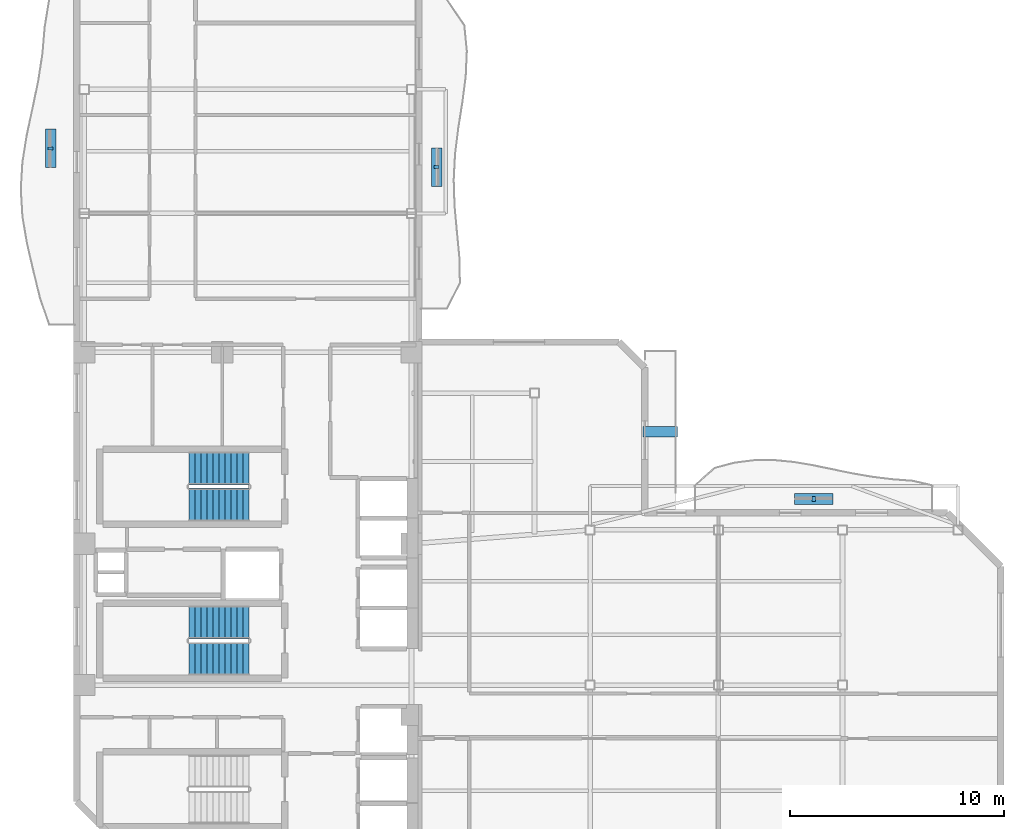
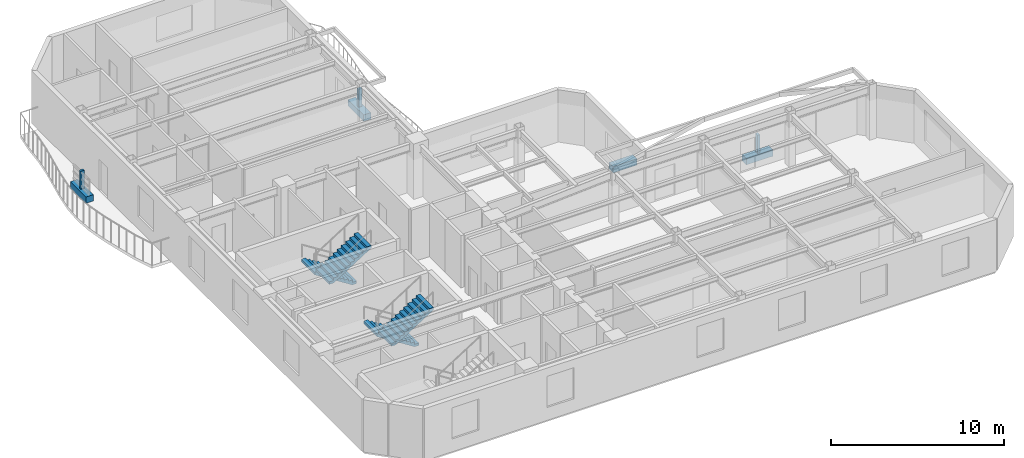
# One storey, part 6 of 8: 7 discrete accessories, 4 stair flights, 2 elements without a shape of their own.
"""IFC4 building model written with IfcOpenShell, lengths in metres."""

from ifc_helpers import new_model, si_unit, direction, frame, origin, origin_2d, place, context, subcontext, project, spatial, polyline, rectangle, outline, extrude, material, type_object, element, aggregate, save


model = new_model("IFC4")

# Units and contexts
model_context = context("Model", 3, precision=1e-05, world=origin(), true_north=direction((0.0, 1.0)))
body_context = subcontext(model_context, "Body", "Model", "MODEL_VIEW")
ifc_project = project(units=[si_unit("LENGTHUNIT", "METRE"), si_unit("AREAUNIT", "SQUARE_METRE"), si_unit("VOLUMEUNIT", "CUBIC_METRE"), si_unit("PLANEANGLEUNIT", "RADIAN"), si_unit("MASSUNIT", "GRAM", prefix="KILO")], contexts=[model_context])

# Site, building, storey
site_placement = place(None, origin())
site = spatial("IfcSite", under=ifc_project, at=site_placement, CompositionType="ELEMENT")
building_placement = place(site_placement, origin())
building = spatial("IfcBuilding", under=site, at=building_placement, Name="Mawjaban Terraces University", CompositionType="ELEMENT")
storey_placement = place(building_placement, frame((0.0, 0.0, 187.5)))
storey = spatial("IfcBuildingStorey", under=building, at=storey_placement, Name="L45", CompositionType="ELEMENT", Elevation=187.5)

# Stair, stair flights
ifc_material_1 = material(Name="Concrete C40/50", Category="concrete")
stair_type = type_object("IfcStairType", Name="Stair_Core1550_H39", PredefinedType="HALF_TURN_STAIR", material=ifc_material_1)
stair_1_placement = place(storey_placement, origin())
stair_1 = element("IfcStair", 1, at=stair_1_placement, inside=storey, type_object=stair_type, Name="L45 Core Exit Stair 2", PredefinedType="HALF_TURN_STAIR")
stair_flight_type = type_object("IfcStairFlightType", Name="Flight_Core1550_H39", PredefinedType="STRAIGHT", material=ifc_material_1)
stair_flight_1_placement = place(storey_placement, frame((30.050048828125, 18.074951171875, 0.0), z_axis=(0.0, 0.0, 1.0), x_axis=(-1.0, 0.0, 0.0)))
stair_flight_1 = element("IfcStairFlight", 2, at=stair_flight_1_placement, type_object=stair_flight_type, Name="ST-2 flight 1", NumberOfRisers=11, NumberOfTreads=10, PredefinedType="STRAIGHT", RiserHeight=0.177272727, TreadLength=0.28, context=body_context, shape_type="SweptSolid", body=[
    extrude(outline(polyline([(0.0, 0.0), (0.0, 0.17724609375), (0.280029296875, 0.17724609375), (0.280029296875, 0.3544921875), (0.56005859375, 0.3544921875), (0.56005859375, 0.53173828125), (0.840087890625, 0.53173828125), (0.840087890625, 0.708984375), (1.1201171875, 0.708984375), (1.1201171875, 0.886474609375), (1.39990234375, 0.886474609375), (1.39990234375, 1.063720703125), (1.679931640625, 1.063720703125), (1.679931640625, 1.240966796875), (1.9599609375, 1.240966796875), (1.9599609375, 1.418212890625), (2.239990234375, 1.418212890625), (2.239990234375, 1.595458984375), (2.52001953125, 1.595458984375), (2.52001953125, 1.772705078125), (2.800048828125, 1.772705078125), (2.800048828125, 1.949951171875), (2.800048828125, 1.59521484375), (0.2802734375, 0.0), (0.0, 0.0)])), frame((0.0, 0.77490234375, 0.0), z_axis=(0.0, -1.0, 0.0), x_axis=(1.0, 0.0, 0.0)), (0.0, 0.0, 1.0), 1.550048828125),
])
stair_flight_2_placement = place(storey_placement, frame((27.25, 16.375, 1.949951171875), z_axis=(0.0, 0.0, 1.0), x_axis=(1.0, 0.0, 0.0)))
stair_flight_2 = element("IfcStairFlight", 3, at=stair_flight_2_placement, type_object=stair_flight_type, Name="ST-2 flight 2", NumberOfRisers=11, NumberOfTreads=10, PredefinedType="STRAIGHT", RiserHeight=0.177272727, TreadLength=0.28, context=body_context, shape_type="SweptSolid", body=[
    extrude(outline(polyline([(0.0, 0.0), (0.0, 0.17724609375), (0.280029296875, 0.17724609375), (0.280029296875, 0.3544921875), (0.56005859375, 0.3544921875), (0.56005859375, 0.53173828125), (0.840087890625, 0.53173828125), (0.840087890625, 0.708984375), (1.1201171875, 0.708984375), (1.1201171875, 0.886474609375), (1.39990234375, 0.886474609375), (1.39990234375, 1.063720703125), (1.679931640625, 1.063720703125), (1.679931640625, 1.240966796875), (1.9599609375, 1.240966796875), (1.9599609375, 1.418212890625), (2.239990234375, 1.418212890625), (2.239990234375, 1.595458984375), (2.52001953125, 1.595458984375), (2.52001953125, 1.772705078125), (2.800048828125, 1.772705078125), (2.800048828125, 1.949951171875), (2.800048828125, 1.59521484375), (0.2802734375, 0.0), (0.0, 0.0)])), frame((0.0, 0.77490234375, 0.0), z_axis=(0.0, -1.0, 0.0), x_axis=(1.0, 0.0, 0.0)), (0.0, 0.0, 1.0), 1.550048828125),
])
aggregate(stair_1, [stair_flight_1, stair_flight_2])

stair_2_placement = place(storey_placement, origin())
stair_2 = element("IfcStair", 4, at=stair_2_placement, inside=storey, type_object=stair_type, Name="L45 Core Exit Stair 3", PredefinedType="HALF_TURN_STAIR")
stair_flight_3_placement = place(storey_placement, frame((30.050048828125, 10.875, 0.0), z_axis=(0.0, 0.0, 1.0), x_axis=(-1.0, 0.0, 0.0)))
stair_flight_3 = element("IfcStairFlight", 5, at=stair_flight_3_placement, type_object=stair_flight_type, Name="ST-3 flight 1", NumberOfRisers=11, NumberOfTreads=10, PredefinedType="STRAIGHT", RiserHeight=0.177272727, TreadLength=0.28, context=body_context, shape_type="SweptSolid", body=[
    extrude(outline(polyline([(0.0, 0.0), (0.0, 0.17724609375), (0.280029296875, 0.17724609375), (0.280029296875, 0.3544921875), (0.56005859375, 0.3544921875), (0.56005859375, 0.53173828125), (0.840087890625, 0.53173828125), (0.840087890625, 0.708984375), (1.1201171875, 0.708984375), (1.1201171875, 0.886474609375), (1.39990234375, 0.886474609375), (1.39990234375, 1.063720703125), (1.679931640625, 1.063720703125), (1.679931640625, 1.240966796875), (1.9599609375, 1.240966796875), (1.9599609375, 1.418212890625), (2.239990234375, 1.418212890625), (2.239990234375, 1.595458984375), (2.52001953125, 1.595458984375), (2.52001953125, 1.772705078125), (2.800048828125, 1.772705078125), (2.800048828125, 1.949951171875), (2.800048828125, 1.59521484375), (0.2802734375, 0.0), (0.0, 0.0)])), frame((0.0, 0.77490234375, 0.0), z_axis=(0.0, -1.0, 0.0), x_axis=(1.0, 0.0, 0.0)), (0.0, 0.0, 1.0), 1.550048828125),
])
stair_flight_4_placement = place(storey_placement, frame((27.25, 9.175048828125, 1.949951171875), z_axis=(0.0, 0.0, 1.0), x_axis=(1.0, 0.0, 0.0)))
stair_flight_4 = element("IfcStairFlight", 6, at=stair_flight_4_placement, type_object=stair_flight_type, Name="ST-3 flight 2", NumberOfRisers=11, NumberOfTreads=10, PredefinedType="STRAIGHT", RiserHeight=0.177272727, TreadLength=0.28, context=body_context, shape_type="SweptSolid", body=[
    extrude(outline(polyline([(0.0, 0.0), (0.0, 0.17724609375), (0.280029296875, 0.17724609375), (0.280029296875, 0.3544921875), (0.56005859375, 0.3544921875), (0.56005859375, 0.53173828125), (0.840087890625, 0.53173828125), (0.840087890625, 0.708984375), (1.1201171875, 0.708984375), (1.1201171875, 0.886474609375), (1.39990234375, 0.886474609375), (1.39990234375, 1.063720703125), (1.679931640625, 1.063720703125), (1.679931640625, 1.240966796875), (1.9599609375, 1.240966796875), (1.9599609375, 1.418212890625), (2.239990234375, 1.418212890625), (2.239990234375, 1.595458984375), (2.52001953125, 1.595458984375), (2.52001953125, 1.772705078125), (2.800048828125, 1.772705078125), (2.800048828125, 1.949951171875), (2.800048828125, 1.59521484375), (0.2802734375, 0.0), (0.0, 0.0)])), frame((0.0, 0.77490234375, 0.0), z_axis=(0.0, -1.0, 0.0), x_axis=(1.0, 0.0, 0.0)), (0.0, 0.0, 1.0), 1.550048828125),
])
aggregate(stair_2, [stair_flight_3, stair_flight_4])

# Discrete accessories
ifc_material_2 = material(Name="Stainless steel 316L", Category="steel")
discrete_accessory_type_1 = type_object("IfcDiscreteAccessoryType", Name="FacadeScreenBracket_Steel", PredefinedType="BRACKET", material=ifc_material_2)
for number, where, z_axis, x_axis, name in (
    (7, (20.779052734375, 33.033935546875, 0.419921875), (0.0, 0.0, 1.0), (0.0, 1.0, 0.0), "L45 Balcony Screen Support Bracket west"),
    (8, (56.449951171875, 16.64501953125, 0.419921875), (0.0, 0.0, 1.0), (1.0, 0.0, 0.0), "L45 Balcony Screen Support Bracket inner_north"),
    (9, (38.826904296875, 32.16796875, 0.419921875), (0.0, 0.0, 1.0), (0.0, 1.0, 0.0), "L45 Balcony Screen Support Bracket inner_east"),
):
    element("IfcDiscreteAccessory", number, at=place(storey_placement, frame(where, z_axis=z_axis, x_axis=x_axis)), inside=storey, type_object=discrete_accessory_type_1, Name=name, PredefinedType="BRACKET", context=body_context, shape_type="SweptSolid", body=[
        extrude(rectangle(XDim=0.159912109375, YDim=0.239990234375, at=origin_2d()), origin(), (0.0, 0.0, 1.0), 1.300048828125),
    ])
ifc_material_3 = material(Name="Precast architectural terracotta planter with engineered planting soil", Category="masonry")
discrete_accessory_type_2 = type_object("IfcDiscreteAccessoryType", Name="IrrigatedPlanterTrough_450", PredefinedType="USERDEFINED", material=ifc_material_3)
for number, where, z_axis, x_axis, name in (
    (10, (20.779052734375, 33.033935546875, -0.0048828125), (0.0, 0.0, 1.0), (0.0, 1.0, 0.0), "L45 Balcony Irrigated Planter west"),
    (11, (56.449951171875, 16.64501953125, -0.0048828125), (0.0, 0.0, 1.0), (1.0, 0.0, 0.0), "L45 Balcony Irrigated Planter inner_north"),
    (12, (38.826904296875, 32.16796875, -0.0048828125), (0.0, 0.0, 1.0), (0.0, 1.0, 0.0), "L45 Balcony Irrigated Planter inner_east"),
):
    element("IfcDiscreteAccessory", number, at=place(storey_placement, frame(where, z_axis=z_axis, x_axis=x_axis)), inside=storey, type_object=discrete_accessory_type_2, Name=name, ObjectType="PLANTER", PredefinedType="USERDEFINED", context=body_context, shape_type="SweptSolid", body=[
        extrude(rectangle(XDim=1.800048828125, YDim=0.5, at=origin_2d()), origin(), (0.0, 0.0, 1.0), 0.449951171875),
    ])
discrete_accessory_placement = place(storey_placement, frame((49.27490234375, 19.7939453125, -0.0048828125), z_axis=(0.0, 0.0, 1.0), x_axis=(1.0, 0.0, 0.0)))
element("IfcDiscreteAccessory", 13, at=discrete_accessory_placement, inside=storey, type_object=discrete_accessory_type_2, Name="L45 Terrace Planter TER-L45-CLIMB", ObjectType="PLANTER", PredefinedType="USERDEFINED", context=body_context, shape_type="SweptSolid", body=[
    extrude(rectangle(XDim=1.60009765625, YDim=0.5, at=origin_2d()), origin(), (0.0, 0.0, 1.0), 0.449951171875),
])

save(model, "model.ifc")
